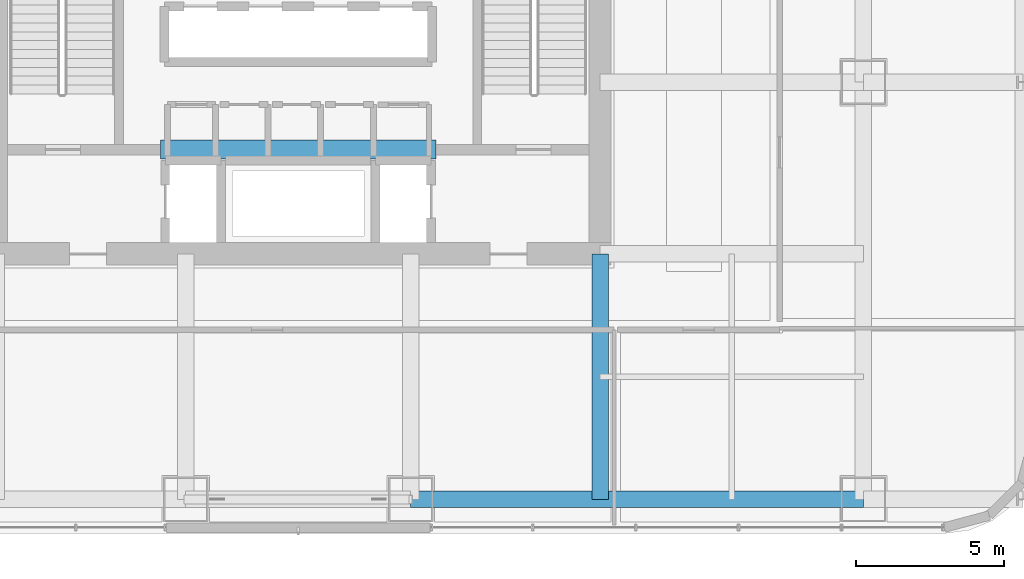
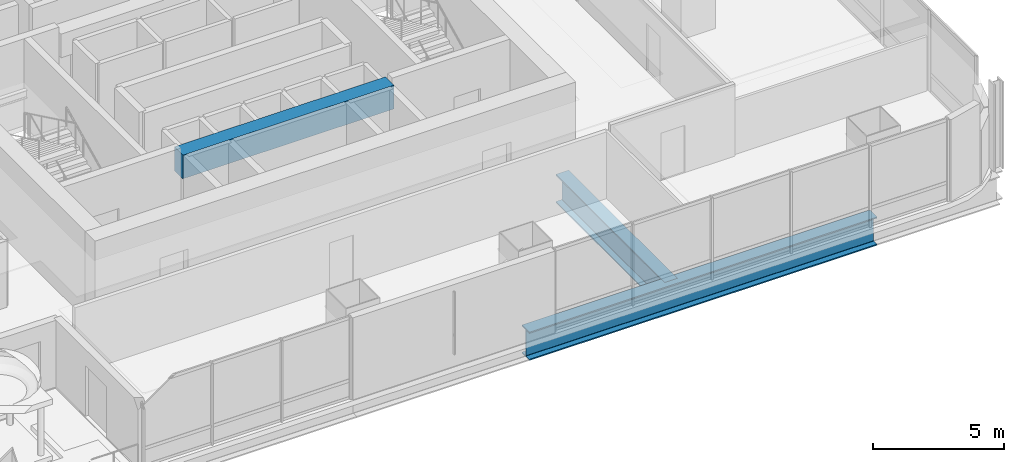
# One storey, part 6 of 37: 3 beams.
"""IFC4 building model written with IfcOpenShell, lengths in metres."""

from ifc_helpers import new_model, si_unit, direction, frame, origin, origin_2d, place, context, subcontext, project, spatial, rectangle, i_section, extrude, material, material_profile, profile_set, type_object, element, save


model = new_model("IFC4")

# Units and contexts
model_context = context("Model", 3, precision=1e-05, world=origin(), true_north=direction((0.0, 1.0)))
body_context = subcontext(model_context, "Body", "Model", "MODEL_VIEW")
ifc_project = project(units=[si_unit("LENGTHUNIT", "METRE"), si_unit("AREAUNIT", "SQUARE_METRE"), si_unit("VOLUMEUNIT", "CUBIC_METRE"), si_unit("PLANEANGLEUNIT", "RADIAN"), si_unit("MASSUNIT", "GRAM", prefix="KILO")], contexts=[model_context])

# Site, building, storey
site_placement = place(None, origin())
site = spatial("IfcSite", under=ifc_project, at=site_placement, CompositionType="ELEMENT")
building_placement = place(site_placement, origin())
building = spatial("IfcBuilding", under=site, at=building_placement, Name="Punatoya Terracotta Tower", CompositionType="ELEMENT")
storey_placement = place(building_placement, frame((0.0, 0.0, 109.199951171875)))
storey = spatial("IfcBuildingStorey", under=building, at=storey_placement, Name="L25", CompositionType="ELEMENT", Elevation=109.199951171875)

# Beams
ifc_material_1 = material(Name="Concrete C60/75", Category="concrete")
ifc_material_profile_1 = material_profile(ifc_material_1, rectangle(XDim=0.64990234375, YDim=1.10009765625, at=origin_2d()))
ifc_profile_set_1 = profile_set([ifc_material_profile_1], Name="Concrete C60/75")
beam_type_1 = type_object("IfcBeamType", Name="BM-RC-1100", PredefinedType="LINTEL", material=ifc_profile_set_1)
beam_1_placement = place(storey_placement, frame((-4.64990234375, -5.679931640625, 3.260009765625), z_axis=(1.0, 0.0, 0.0), x_axis=(0.0, 1.0, 0.0)))
element("IfcBeam", 1, at=beam_1_placement, inside=storey, type_object=beam_type_1, Name="L25 Core Coupling Lintel CSW", PredefinedType="LINTEL", context=body_context, shape_type="SweptSolid", body=[
    extrude(rectangle(XDim=0.64990234375, YDim=1.10009765625, at=origin_2d()), origin(), (0.0, 0.0, 1.0), 9.2998046875),
])
ifc_material_2 = material(Name="Steel S460", Category="steel")
ifc_material_profile_2 = material_profile(ifc_material_2, i_section(OverallWidth=0.56005859375, OverallDepth=1.320068359375, WebThickness=0.035888671875, FlangeThickness=0.054931640625, FilletRadius=0.01806640625, at=origin_2d()))
ifc_profile_set_2 = profile_set([ifc_material_profile_2], Name="Steel S460")
beam_type_2 = type_object("IfcBeamType", Name="BM-TG-BLK", PredefinedType="BEAM", material=ifc_profile_set_2)
beam_2_placement = place(storey_placement, frame((3.800048828125, -17.5, -0.89990234375), z_axis=(1.0, 0.0, 0.0), x_axis=(0.0, 1.0, 0.0)))
element("IfcBeam", 2, at=beam_2_placement, inside=storey, type_object=beam_type_2, Name="BM-L25-RG-S3", PredefinedType="BEAM", context=body_context, shape_type="SweptSolid", body=[
    extrude(i_section(OverallWidth=0.56005859375, OverallDepth=1.320068359375, WebThickness=0.035888671875, FlangeThickness=0.054931640625, FilletRadius=0.01806640625, at=origin_2d()), origin(), (0.0, 0.0, 1.0), 15.300048828125),
])
beam_3_placement = place(storey_placement, frame((10.199951171875, -17.5, -0.89990234375), z_axis=(0.0, 1.0, 0.0), x_axis=(-1.0, 0.0, 0.0)))
element("IfcBeam", 3, at=beam_3_placement, inside=storey, type_object=beam_type_2, Name="BM-L25-PR-S4", PredefinedType="BEAM", context=body_context, shape_type="SweptSolid", body=[
    extrude(i_section(OverallWidth=0.56005859375, OverallDepth=1.320068359375, WebThickness=0.035888671875, FlangeThickness=0.054931640625, FilletRadius=0.01806640625, at=origin_2d()), origin(), (0.0, 0.0, 1.0), 8.300048828125),
])

save(model, "model.ifc")
